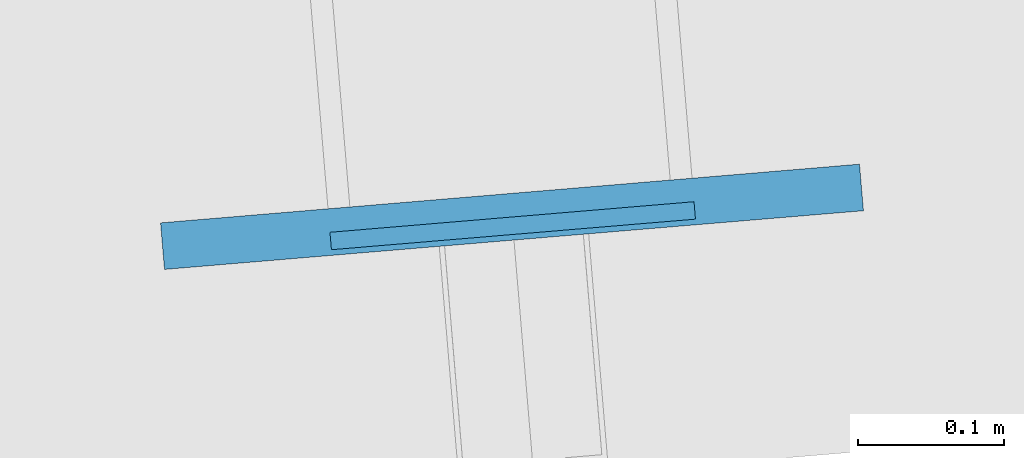
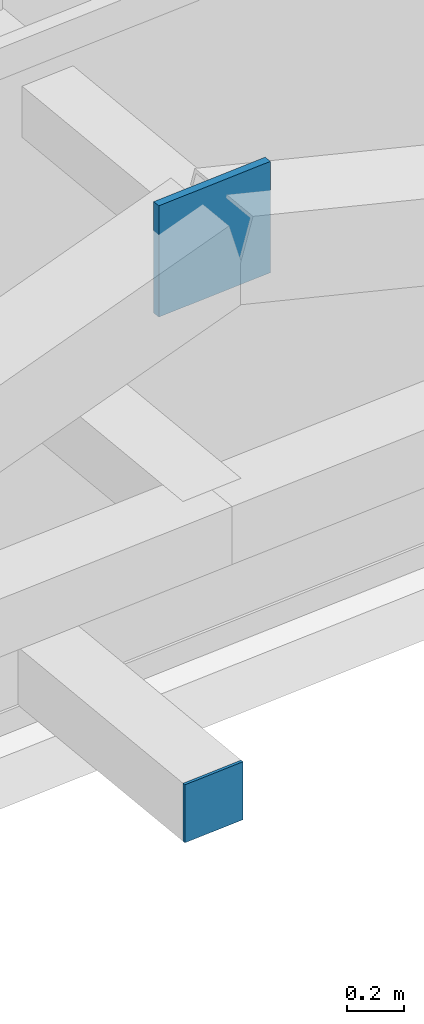
# One storey, part 28 of 37: 2 plates.
"""IFC4 building model written with IfcOpenShell, lengths in metres."""

from ifc_helpers import new_model, si_unit, direction, frame, origin, origin_2d, place, context, subcontext, project, spatial, rectangle, extrude, source, transform, mapped, material, layer, layer_set, type_object, element, save


model = new_model("IFC4")

# Units and contexts
model_context = context("Model", 3, precision=1e-05, world=origin(), true_north=direction((0.0, 1.0)))
body_context = subcontext(model_context, "Body", "Model", "MODEL_VIEW")
ifc_project = project(units=[si_unit("LENGTHUNIT", "METRE"), si_unit("AREAUNIT", "SQUARE_METRE"), si_unit("VOLUMEUNIT", "CUBIC_METRE"), si_unit("PLANEANGLEUNIT", "RADIAN"), si_unit("MASSUNIT", "GRAM", prefix="KILO")], contexts=[model_context])

# Site, building, storey
site_placement = place(None, origin())
site = spatial("IfcSite", under=ifc_project, at=site_placement, CompositionType="ELEMENT")
building_placement = place(site_placement, origin())
building = spatial("IfcBuilding", under=site, at=building_placement, Name="Taldren Reach Tower", CompositionType="ELEMENT")
storey_placement = place(building_placement, frame((0.0, 0.0, 172.550048828125)))
storey = spatial("IfcBuildingStorey", under=building, at=storey_placement, Name="L52", CompositionType="ELEMENT", Elevation=172.550048828125)

# Plates
ifc_material_1 = material(Name="Steel Gr 350 (C350L0)", Category="steel")
ifc_layer_1 = layer(ifc_material_1, 0.011962890625)
ifc_layer_set_1 = layer_set([ifc_layer_1], Name="Steel Gr 350 (C350L0)")
plate_type_1 = type_object("IfcPlateType", Name="PL-CAP-250", PredefinedType="SHEET", material=ifc_layer_set_1)
shared_shape_1 = source(origin(), body_context, "Body", "SweptSolid", [
    extrude(rectangle(XDim=0.25, YDim=0.011962890625, at=origin_2d()), origin(), (0.0, 0.0, 1.0), 0.25),
])
plate_1_placement = place(storey_placement, frame((42.623779296875, 2.596923828125, 0.094970703125), z_axis=(0.0, 0.0, 1.0), x_axis=(0.99649285925, 0.083677843332, 0.0)))
element("IfcPlate", 1, at=plate_1_placement, inside=storey, type_object=plate_type_1, Name="Tie strut end cap plate B4-S4 L52", PredefinedType="SHEET", context=body_context, shape_type="MappedRepresentation", body=[
    mapped(shared_shape_1, transform((0.0, 0.0, 0.0), scale=1.0)),
])
ifc_material_2 = material(Name="Steel Gr 450 (C450L0)", Category="steel")
ifc_layer_2 = layer(ifc_material_2, 0.031982421875)
ifc_layer_set_2 = layer_set([ifc_layer_2], Name="Steel Gr 450 (C450L0)")
plate_type_2 = type_object("IfcPlateType", Name="PL-GUSSET-32", PredefinedType="SHEET", material=ifc_layer_set_2)
shared_shape_2 = source(origin(), body_context, "Body", "SweptSolid", [
    extrude(rectangle(XDim=0.47998046875, YDim=0.031982421875, at=origin_2d()), origin(), (0.0, 0.0, 1.0), 0.47998046875),
])
plate_2_placement = place(storey_placement, frame((42.623291015625, 2.60302734375, 2.409912109375), z_axis=(0.0, 0.0, 1.0), x_axis=(0.99649285925, 0.083677843332, 0.0)))
element("IfcPlate", 2, at=plate_2_placement, inside=storey, type_object=plate_type_2, Name="Exoskeleton star-node gusset plate B4-S4 L52", PredefinedType="SHEET", context=body_context, shape_type="MappedRepresentation", body=[
    mapped(shared_shape_2, transform((0.0, 0.0, 0.0), scale=1.0)),
])

save(model, "model.ifc")
